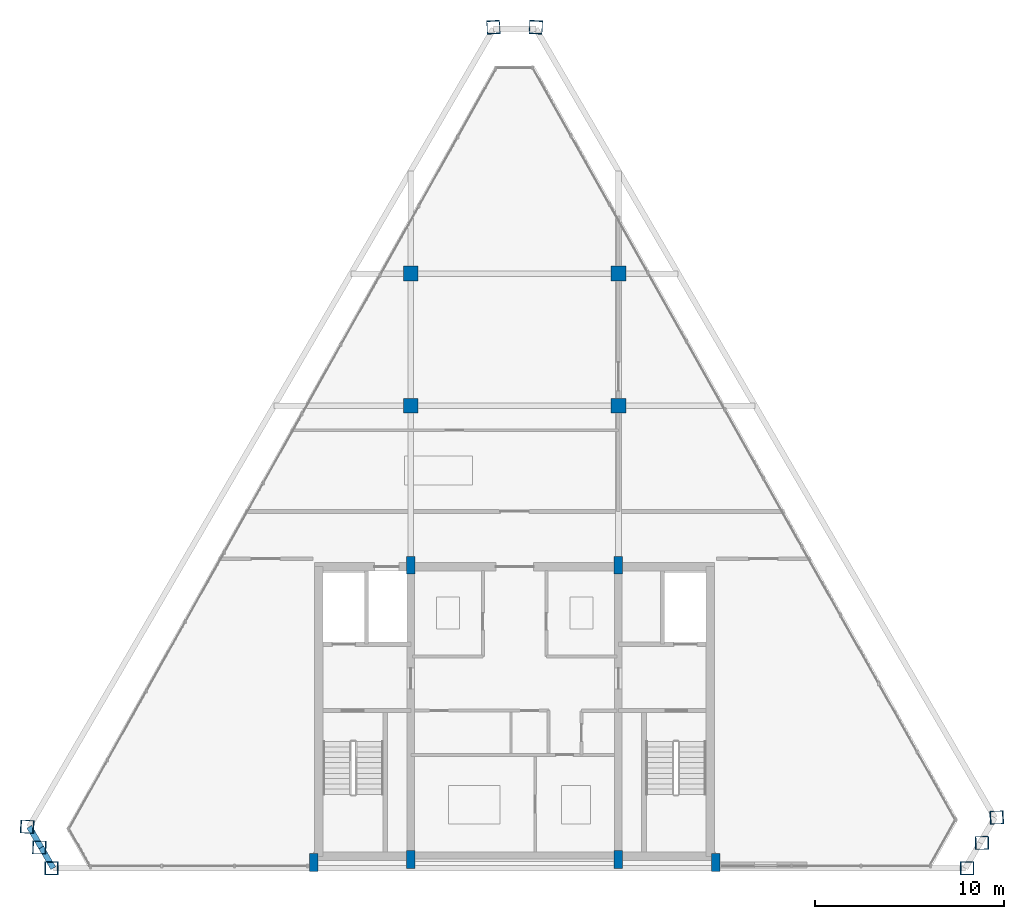
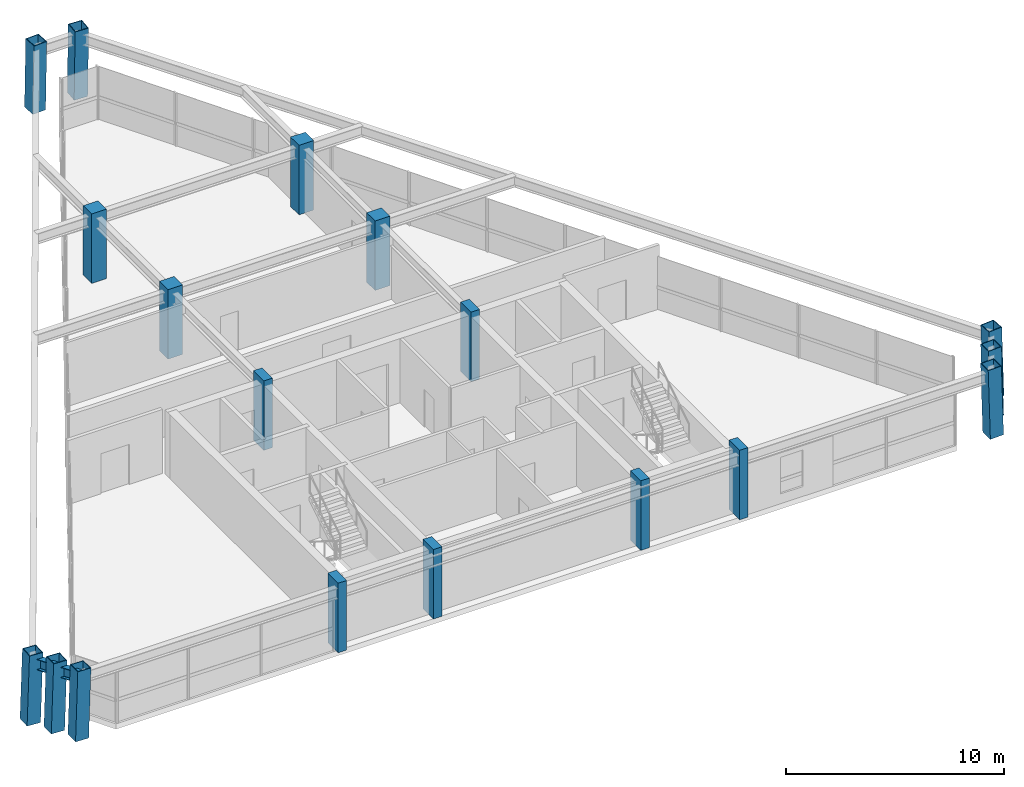
# One storey, part 1 of 12: 18 columns, 2 beams.
"""IFC4 building model written with IfcOpenShell, lengths in metres."""

from ifc_helpers import new_model, si_unit, direction, frame, origin, origin_2d, place, context, subcontext, project, spatial, rectangle, hollow_rectangle, i_section, extrude, source, transform, mapped, material, material_profile, profile_set, type_object, element, save


model = new_model("IFC4")

# Units and contexts
model_context = context("Model", 3, precision=1e-05, world=origin(), true_north=direction((0.0, 1.0)))
body_context = subcontext(model_context, "Body", "Model", "MODEL_VIEW")
ifc_project = project(units=[si_unit("LENGTHUNIT", "METRE"), si_unit("AREAUNIT", "SQUARE_METRE"), si_unit("VOLUMEUNIT", "CUBIC_METRE"), si_unit("PLANEANGLEUNIT", "RADIAN"), si_unit("MASSUNIT", "GRAM", prefix="KILO")], contexts=[model_context])

# Site, building, storey
site_placement = place(None, origin())
site = spatial("IfcSite", under=ifc_project, at=site_placement, CompositionType="ELEMENT")
building_placement = place(site_placement, origin())
building = spatial("IfcBuilding", under=site, at=building_placement, Name="Varnakhor Terracotta Tower", CompositionType="ELEMENT")
storey_placement = place(building_placement, frame((0.0, 0.0, 325.300048828125)))
storey = spatial("IfcBuildingStorey", under=building, at=storey_placement, Name="L85 Crown", CompositionType="ELEMENT", Elevation=325.300048828125)

# Columns
ifc_material_1 = material(Name="Concrete C50/60", Category="concrete")
ifc_material_profile_1 = material_profile(ifc_material_1, rectangle(XDim=0.449951171875, YDim=0.949951171875, at=origin_2d()), Name="RC PILASTER 950x450")
ifc_profile_set_1 = profile_set([ifc_material_profile_1], Name="Concrete C50/60")
column_type_1 = type_object("IfcColumnType", Name="COL-PIL-950x450", PredefinedType="PILASTER", material=ifc_profile_set_1)
shared_shape_1 = source(origin(), body_context, "Body", "SweptSolid", [
    extrude(rectangle(XDim=0.449951171875, YDim=0.949951171875, at=origin_2d()), origin(), (0.0, 0.0, 1.0), 3.89990234375),
])
for number, where, z_axis, x_axis, name in (
    (1, (-10.64990234375, 0.300048828125, 0.0), (0.0, 0.0, 1.0), (1.0, 0.0, 0.0), "L85 Crown Core Pilaster CP1"),
    (2, (-5.5, 0.449951171875, 0.0), (0.0, 0.0, 1.0), (1.0, 0.0, 0.0), "L85 Crown Core Pilaster CP2"),
    (3, (5.5, 0.449951171875, 0.0), (0.0, 0.0, 1.0), (1.0, 0.0, 0.0), "L85 Crown Core Pilaster CP3"),
    (4, (10.64990234375, 0.300048828125, 0.0), (0.0, 0.0, 1.0), (1.0, 0.0, 0.0), "L85 Crown Core Pilaster CP4"),
    (5, (-5.5, 16.050048828125, 0.0), (0.0, 0.0, 1.0), (1.0, 0.0, 0.0), "L85 Crown Core Pilaster CP5"),
    (6, (5.5, 16.050048828125, 0.0), (0.0, 0.0, 1.0), (1.0, 0.0, 0.0), "L85 Crown Core Pilaster CP6"),
):
    element("IfcColumn", number, at=place(storey_placement, frame(where, z_axis=z_axis, x_axis=x_axis)), inside=storey, type_object=column_type_1, Name=name, PredefinedType="PILASTER", context=body_context, shape_type="MappedRepresentation", body=[
        mapped(shared_shape_1, transform((0.0, 0.0, 0.0), scale=1.0)),
    ])
ifc_material_2 = material(Name="Steel S355", Category="steel")
ifc_material_profile_2 = material_profile(ifc_material_2, hollow_rectangle(XDim=0.699951171875, YDim=0.699951171875, WallThickness=0.035888671875, at=origin_2d()), Name="BOX 700x700x36")
ifc_profile_set_2 = profile_set([ifc_material_profile_2], Name="Steel S355")
column_type_2 = type_object("IfcColumnType", Name="COL-MEGA-700", PredefinedType="COLUMN", material=ifc_profile_set_2)
shared_shape_2 = source(origin(), body_context, "Body", "SweptSolid", [
    extrude(hollow_rectangle(XDim=0.699951171875, YDim=0.699951171875, WallThickness=0.035888671875, at=origin_2d()), origin(), (0.0, 0.0, 1.0), 3.89306640625),
])
for number, where, z_axis, x_axis, name in (
    (7, (25.55712890625, 2.685302734375, 0.00439453125), (-0.031544050064, -0.001567795729, 0.999501133027), (0.049640514399, -0.998767149705, 0.0), "L85 Crown Perimeter Mega-Column M4"),
    (8, (-25.842041015625, 2.197021484375, 0.00439453125), (0.031919954042, -0.001254222163, 0.999489641497), (0.039262433532, 0.999228933385, 0.0), "L85 Crown Perimeter Mega-Column M7"),
    (9, (-25.201171875, 1.098388671875, 0.00439453125), (0.031105527105, -0.000627127563, 0.999515909275), (0.020157194015, 0.999796823124, 0.0), "L85 Crown Perimeter Mega-Column M8"),
):
    element("IfcColumn", number, at=place(storey_placement, frame(where, z_axis=z_axis, x_axis=x_axis)), inside=storey, type_object=column_type_2, Name=name, PredefinedType="COLUMN", context=body_context, shape_type="MappedRepresentation", body=[
        mapped(shared_shape_2, transform((0.0, 0.0, 0.0), scale=1.0)),
    ])
shared_shape_3 = source(origin(), body_context, "Body", "SweptSolid", [
    extrude(hollow_rectangle(XDim=0.699951171875, YDim=0.699951171875, WallThickness=0.035888671875, at=origin_2d()), origin(), (0.0, 0.0, 1.0), 3.892822265625),
])
for number, where, z_axis, x_axis, name in (
    (10, (-24.560302734375, 0.0, 0.00439453125), (0.030291025332, 0.0, 0.999541121607), (0.0, 1.0, 0.0), "L85 Crown Perimeter Mega-Column M1"),
    (11, (23.99072265625, 0.0, 0.00439453125), (-0.029601779148, 0.0, 0.999561771313), (0.0, -1.0, 0.0), "L85 Crown Perimeter Mega-Column M2"),
    (12, (24.77392578125, 1.342529296875, 0.00439453125), (-0.030604296161, -0.00075256466, 0.99953129551), (0.024582732761, -0.999697798962, 0.0), "L85 Crown Perimeter Mega-Column M3"),
):
    element("IfcColumn", number, at=place(storey_placement, frame(where, z_axis=z_axis, x_axis=x_axis)), inside=storey, type_object=column_type_2, Name=name, PredefinedType="COLUMN", context=body_context, shape_type="MappedRepresentation", body=[
        mapped(shared_shape_3, transform((0.0, 0.0, 0.0), scale=1.0)),
    ])
ifc_material_profile_3 = material_profile(ifc_material_1, rectangle(XDim=0.780029296875, YDim=0.780029296875, at=origin_2d()), Name="RC 780x780")
ifc_profile_set_3 = profile_set([ifc_material_profile_3], Name="Concrete C50/60")
column_type_3 = type_object("IfcColumnType", Name="COL-RC-780", PredefinedType="COLUMN", material=ifc_profile_set_3)
shared_shape_4 = source(origin(), body_context, "Body", "SweptSolid", [
    extrude(rectangle(XDim=0.780029296875, YDim=0.780029296875, at=origin_2d()), origin(), (0.0, 0.0, 1.0), 3.89990234375),
])
for number, where, z_axis, x_axis, name in (
    (13, (-5.5, 24.5, 0.0), (0.0, 0.0, 1.0), (1.0, 0.0, 0.0), "L85 Crown Interior Tower Column IC1"),
    (14, (5.5, 24.5, 0.0), (0.0, 0.0, 1.0), (1.0, 0.0, 0.0), "L85 Crown Interior Tower Column IC2"),
    (15, (-5.5, 31.5, 0.0), (0.0, 0.0, 1.0), (1.0, 0.0, 0.0), "L85 Crown Interior Tower Column IC3"),
    (16, (5.5, 31.5, 0.0), (0.0, 0.0, 1.0), (1.0, 0.0, 0.0), "L85 Crown Interior Tower Column IC4"),
):
    element("IfcColumn", number, at=place(storey_placement, frame(where, z_axis=z_axis, x_axis=x_axis)), inside=storey, type_object=column_type_3, Name=name, PredefinedType="COLUMN", context=body_context, shape_type="MappedRepresentation", body=[
        mapped(shared_shape_4, transform((0.0, 0.0, 0.0), scale=1.0)),
    ])
shared_shape_5 = source(origin(), body_context, "Body", "SweptSolid", [
    extrude(hollow_rectangle(XDim=0.699951171875, YDim=0.699951171875, WallThickness=0.035888671875, at=origin_2d()), origin(), (0.0, 0.0, 1.0), 3.892333984375),
])
for number, where, z_axis, x_axis, name in (
    (17, (1.12548828125, 44.56689453125, 0.00439453125), (-0.001379902096, -0.025402743135, 0.99967634588), (0.998527872283, -0.054241020223, 0.0), "L85 Crown Perimeter Mega-Column M5"),
    (18, (-1.12548828125, 44.56689453125, 0.00439453125), (0.001379902096, -0.025402743135, 0.99967634588), (0.998527872283, 0.054241020223, 0.0), "L85 Crown Perimeter Mega-Column M6"),
):
    element("IfcColumn", number, at=place(storey_placement, frame(where, z_axis=z_axis, x_axis=x_axis)), inside=storey, type_object=column_type_2, Name=name, PredefinedType="COLUMN", context=body_context, shape_type="MappedRepresentation", body=[
        mapped(shared_shape_5, transform((0.0, 0.0, 0.0), scale=1.0)),
    ])

# Beams
ifc_material_profile_4 = material_profile(ifc_material_2, i_section(OverallWidth=0.300048828125, OverallDepth=0.60009765625, WebThickness=0.015380859375, FlangeThickness=0.030029296875, FilletRadius=0.01806640625, at=origin_2d()), Name="HEB600")
ifc_profile_set_4 = profile_set([ifc_material_profile_4], Name="Steel S355")
beam_type = type_object("IfcBeamType", Name="BM-HEB600", PredefinedType="BEAM", material=ifc_profile_set_4)
shared_shape_6 = source(origin(), body_context, "Body", "SweptSolid", [
    extrude(i_section(OverallWidth=0.300048828125, OverallDepth=0.60009765625, WebThickness=0.015380859375, FlangeThickness=0.030029296875, FilletRadius=0.01806640625, at=origin_2d()), origin(), (0.0, 0.0, 1.0), 1.26806640625),
])
for number, where, z_axis, x_axis, name in (
    (19, (-25.7177734375, 2.192138671875, 3.300048828125), (0.502841277266, -0.864378765286, 0.0), (0.864378765286, 0.502841277266, 0.0), "L85 Crown Perimeter Spandrel 7"),
    (20, (-25.080078125, 1.095947265625, 3.300048828125), (0.50306878555, -0.864246375176, 0.0), (0.864246375176, 0.50306878555, 0.0), "L85 Crown Perimeter Spandrel 8"),
):
    element("IfcBeam", number, at=place(storey_placement, frame(where, z_axis=z_axis, x_axis=x_axis)), inside=storey, type_object=beam_type, Name=name, PredefinedType="BEAM", context=body_context, shape_type="MappedRepresentation", body=[
        mapped(shared_shape_6, transform((0.0, 0.0, 0.0), scale=1.0)),
    ])

save(model, "model.ifc")
